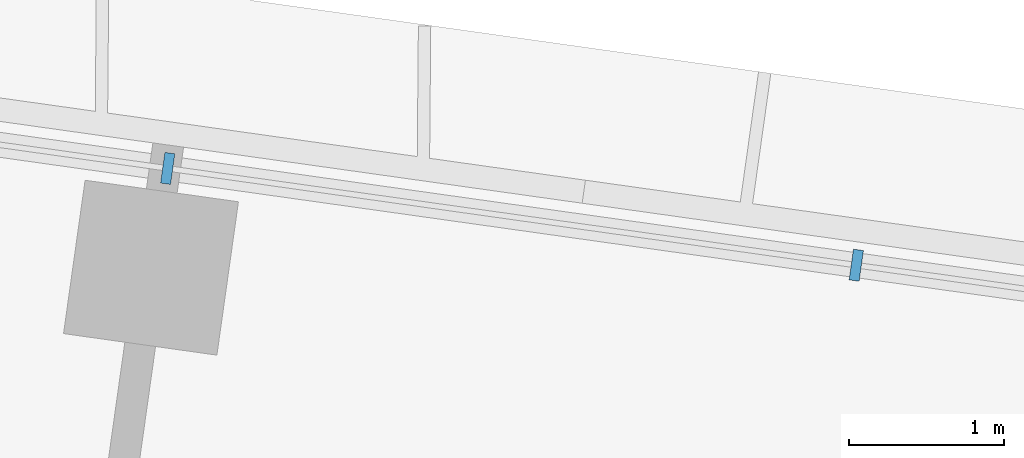
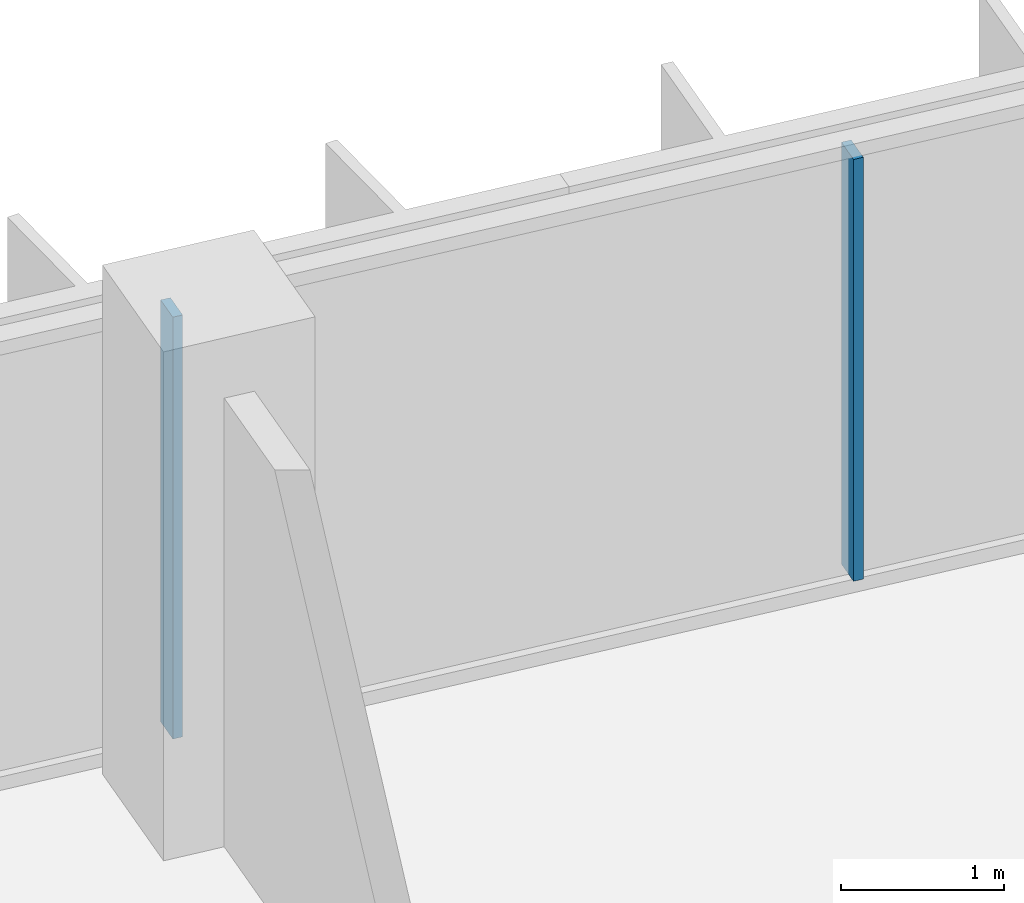
# One storey, part 3 of 24: 2 members, 1 element without a shape of its own.
"""IFC4 building model written with IfcOpenShell, lengths in metres."""

from ifc_helpers import new_model, si_unit, direction, frame, origin, origin_2d, place, context, subcontext, project, spatial, rectangle, extrude, material, material_profile, profile_set, type_object, element, aggregate, save


model = new_model("IFC4")

# Units and contexts
model_context = context("Model", 3, precision=1e-05, world=origin(), true_north=direction((0.0, 1.0)))
body_context = subcontext(model_context, "Body", "Model", "MODEL_VIEW")
ifc_project = project(units=[si_unit("LENGTHUNIT", "METRE"), si_unit("AREAUNIT", "SQUARE_METRE"), si_unit("VOLUMEUNIT", "CUBIC_METRE"), si_unit("PLANEANGLEUNIT", "RADIAN"), si_unit("MASSUNIT", "GRAM", prefix="KILO")], contexts=[model_context])

# Site, building, storey
site_placement = place(None, origin())
site = spatial("IfcSite", under=ifc_project, at=site_placement, CompositionType="ELEMENT")
building_placement = place(site_placement, origin())
building = spatial("IfcBuilding", under=site, at=building_placement, Name="Mirante Cascada Hotel Towers", CompositionType="ELEMENT")
storey_placement = place(building_placement, frame((0.0, 0.0, 47.1)))
storey = spatial("IfcBuildingStorey", under=building, at=storey_placement, Name="L08", CompositionType="ELEMENT", Elevation=47.1)

# Curtain wall, members
ifc_material_1 = material(Name="Aluminium mullion and transom frame with clear laminated glass", Category="aluminium")
curtain_wall_type = type_object("IfcCurtainWallType", Name="Ribbon curtain wall ECW1", PredefinedType="NOTDEFINED", material=ifc_material_1)
curtain_wall_placement = place(storey_placement, origin())
curtain_wall = element("IfcCurtainWall", 1, at=curtain_wall_placement, inside=storey, type_object=curtain_wall_type, Name="Front ribbon wall T1 L08", PredefinedType="NOTDEFINED")
ifc_material_2 = material(Name="Anodised aluminium extrusion", Category="aluminium")
ifc_material_profile = material_profile(ifc_material_2, rectangle(XDim=0.2, YDim=0.065, at=origin_2d()), Name="ECW1 MULLION 65x200")
ifc_profile_set = profile_set([ifc_material_profile], Name="Anodised aluminium extrusion")
member_type = type_object("IfcMemberType", Name="ECW1 mullion 65x200", PredefinedType="MULLION", material=ifc_profile_set)
member_1_placement = place(storey_placement, frame((-71.9211, 22.9269, 0.1), z_axis=(0.0, 0.0, 1.0), x_axis=(0.1391731, 0.9902681, 0.0)))
member_1 = element("IfcMember", 2, at=member_1_placement, type_object=member_type, Name="ECW1 mullion 6", PredefinedType="MULLION", context=body_context, shape_type="SweptSolid", body=[
    extrude(rectangle(XDim=0.2, YDim=0.065, at=origin_2d()), origin(), (0.0, 0.0, 1.0), 3.15),
])
member_2_placement = place(storey_placement, frame((-67.4737, 22.3018, 0.1), z_axis=(0.0, 0.0, 1.0), x_axis=(0.1391731, 0.9902681, 0.0)))
member_2 = element("IfcMember", 3, at=member_2_placement, type_object=member_type, Name="ECW1 mullion 7", PredefinedType="MULLION", context=body_context, shape_type="SweptSolid", body=[
    extrude(rectangle(XDim=0.2, YDim=0.065, at=origin_2d()), origin(), (0.0, 0.0, 1.0), 3.15),
])
aggregate(curtain_wall, [member_1, member_2])

save(model, "model.ifc")
